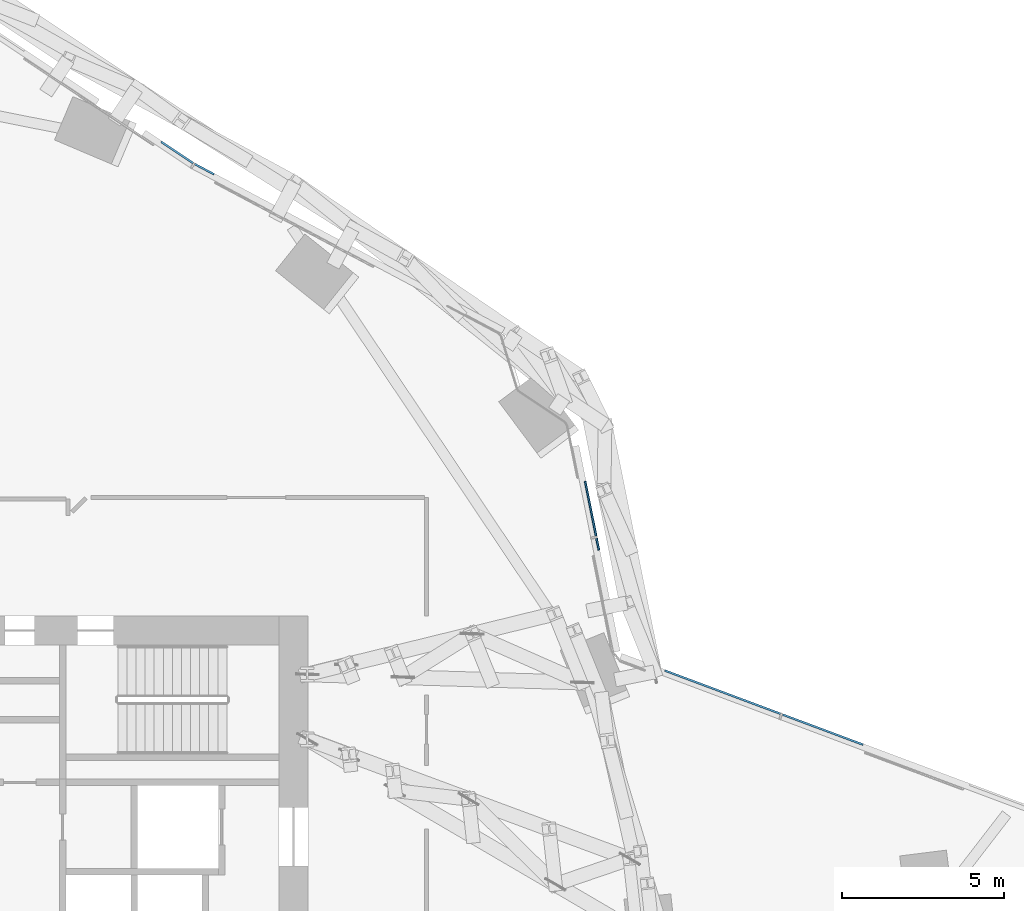
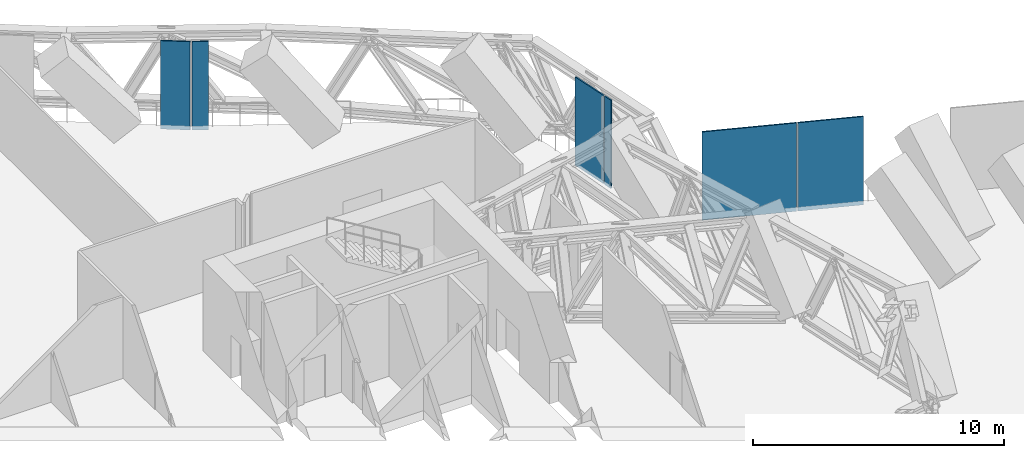
# One storey, part 23 of 34: 6 plates, 4 elements without a shape of their own.
"""IFC4 building model written with IfcOpenShell, lengths in metres."""

from ifc_helpers import new_model, si_unit, direction, frame, origin, origin_2d, place, context, subcontext, project, spatial, rectangle, extrude, material, layer, layer_set, type_object, element, aggregate, save


model = new_model("IFC4")

# Units and contexts
model_context = context("Model", 3, precision=1e-05, world=origin(), true_north=direction((0.0, 1.0)))
body_context = subcontext(model_context, "Body", "Model", "MODEL_VIEW")
ifc_project = project(units=[si_unit("LENGTHUNIT", "METRE"), si_unit("AREAUNIT", "SQUARE_METRE"), si_unit("VOLUMEUNIT", "CUBIC_METRE"), si_unit("PLANEANGLEUNIT", "RADIAN"), si_unit("MASSUNIT", "GRAM", prefix="KILO")], contexts=[model_context])

# Site, building, storey
site_placement = place(None, origin())
site = spatial("IfcSite", under=ifc_project, at=site_placement, CompositionType="ELEMENT")
building_placement = place(site_placement, origin())
building = spatial("IfcBuilding", under=site, at=building_placement, Name="Orlundy Tower", CompositionType="ELEMENT")
storey_placement = place(building_placement, frame((0.0, 0.0, 76.300048828125)))
storey = spatial("IfcBuildingStorey", under=building, at=storey_placement, Name="L18", CompositionType="ELEMENT", Elevation=76.300048828125)

# Curtain wall, plate
ifc_material_1 = material(Name="Aluminium bronze anodised", Category="aluminium")
curtain_wall_type = type_object("IfcCurtainWallType", Name="CW4 wall", PredefinedType="NOTDEFINED", material=ifc_material_1)
curtain_wall_1_placement = place(storey_placement, origin())
curtain_wall_1 = element("IfcCurtainWall", 1, at=curtain_wall_1_placement, inside=storey, type_object=curtain_wall_type, Name="CW4 run 010", PredefinedType="NOTDEFINED")
ifc_material_2 = material(Name="Louvre aluminium bronze anodised", Category="aluminium")
ifc_layer = layer(ifc_material_2, 0.06005859375)
ifc_layer_set = layer_set([ifc_layer], Name="CW4 louvre panel 60")
plate_type = type_object("IfcPlateType", Name="CW4 louvre panel 60", PredefinedType="CURTAIN_PANEL", material=ifc_layer_set)
plate_1_placement = place(storey_placement, frame((14.966064453125, 26.28125, -0.30029296875), z_axis=(0.0, 0.0, 1.0), x_axis=(0.832261104066, -0.55438385137, 0.0)))
plate_1 = element("IfcPlate", 2, at=plate_1_placement, type_object=plate_type, Name="CW4 louvre", PredefinedType="CURTAIN_PANEL", context=body_context, shape_type="SweptSolid", body=[
    extrude(rectangle(XDim=1.184814453125, YDim=0.06005859375, at=origin_2d()), origin(), (0.0, 0.0, 1.0), 4.300048828125),
])
aggregate(curtain_wall_1, [plate_1])

curtain_wall_2_placement = place(storey_placement, origin())
curtain_wall_2 = element("IfcCurtainWall", 3, at=curtain_wall_2_placement, inside=storey, type_object=curtain_wall_type, Name="CW4 run 011", PredefinedType="NOTDEFINED")
plate_2_placement = place(storey_placement, frame((15.807861328125, 25.76416015625, -0.30029296875), z_axis=(0.0, 0.0, 1.0), x_axis=(0.882977200881, -0.469415873959, 0.0)))
plate_2 = element("IfcPlate", 4, at=plate_2_placement, type_object=plate_type, Name="CW4 louvre", PredefinedType="CURTAIN_PANEL", context=body_context, shape_type="SweptSolid", body=[
    extrude(rectangle(XDim=0.673095703125, YDim=0.06005859375, at=origin_2d()), origin(), (0.0, 0.0, 1.0), 4.300048828125),
])
aggregate(curtain_wall_2, [plate_2])

# Curtain wall, plates
curtain_wall_3_placement = place(storey_placement, origin())
curtain_wall_3 = element("IfcCurtainWall", 5, at=curtain_wall_3_placement, inside=storey, type_object=curtain_wall_type, Name="CW4 run 014", PredefinedType="NOTDEFINED")
plate_3_placement = place(storey_placement, frame((27.70263671875, 15.304931640625, -0.30029296875), z_axis=(0.0, 0.0, 1.0), x_axis=(0.196500149465, -0.980503794618, 0.0)))
plate_3 = element("IfcPlate", 6, at=plate_3_placement, type_object=plate_type, Name="CW4 louvre", PredefinedType="CURTAIN_PANEL", context=body_context, shape_type="SweptSolid", body=[
    extrude(rectangle(XDim=1.72265625, YDim=0.06005859375, at=origin_2d()), origin(), (0.0, 0.0, 1.0), 4.300048828125),
])
plate_4_placement = place(storey_placement, frame((27.920654296875, 14.21630859375, -0.30029296875), z_axis=(0.0, 0.0, 1.0), x_axis=(0.196500149465, -0.980503794618, 0.0)))
plate_4 = element("IfcPlate", 7, at=plate_4_placement, type_object=plate_type, Name="CW4 louvre", PredefinedType="CURTAIN_PANEL", context=body_context, shape_type="SweptSolid", body=[
    extrude(rectangle(XDim=0.377685546875, YDim=0.06005859375, at=origin_2d()), origin(), (0.0, 0.0, 1.0), 4.300048828125),
])
aggregate(curtain_wall_3, [plate_3, plate_4])

curtain_wall_4_placement = place(storey_placement, origin())
curtain_wall_4 = element("IfcCurtainWall", 8, at=curtain_wall_4_placement, inside=storey, type_object=curtain_wall_type, Name="CW4 run 015", PredefinedType="NOTDEFINED")
plate_5_placement = place(storey_placement, frame((31.7734375, 9.653564453125, -0.30029296875), z_axis=(0.0, 0.0, 1.0), x_axis=(0.936678943544, -0.350189315544, 0.0)))
plate_5 = element("IfcPlate", 9, at=plate_5_placement, type_object=plate_type, Name="CW4 louvre", PredefinedType="CURTAIN_PANEL", context=body_context, shape_type="SweptSolid", body=[
    extrude(rectangle(XDim=3.810791015625, YDim=0.06005859375, at=origin_2d()), origin(), (0.0, 0.0, 1.0), 4.300048828125),
])
plate_6_placement = place(storey_placement, frame((34.855712890625, 8.501220703125, -0.30029296875), z_axis=(0.0, 0.0, 1.0), x_axis=(0.936678943544, -0.350189315544, 0.0)))
plate_6 = element("IfcPlate", 10, at=plate_6_placement, type_object=plate_type, Name="CW4 louvre", PredefinedType="CURTAIN_PANEL", context=body_context, shape_type="SweptSolid", body=[
    extrude(rectangle(XDim=2.650146484375, YDim=0.06005859375, at=origin_2d()), origin(), (0.0, 0.0, 1.0), 4.300048828125),
])
aggregate(curtain_wall_4, [plate_5, plate_6])

save(model, "model.ifc")
